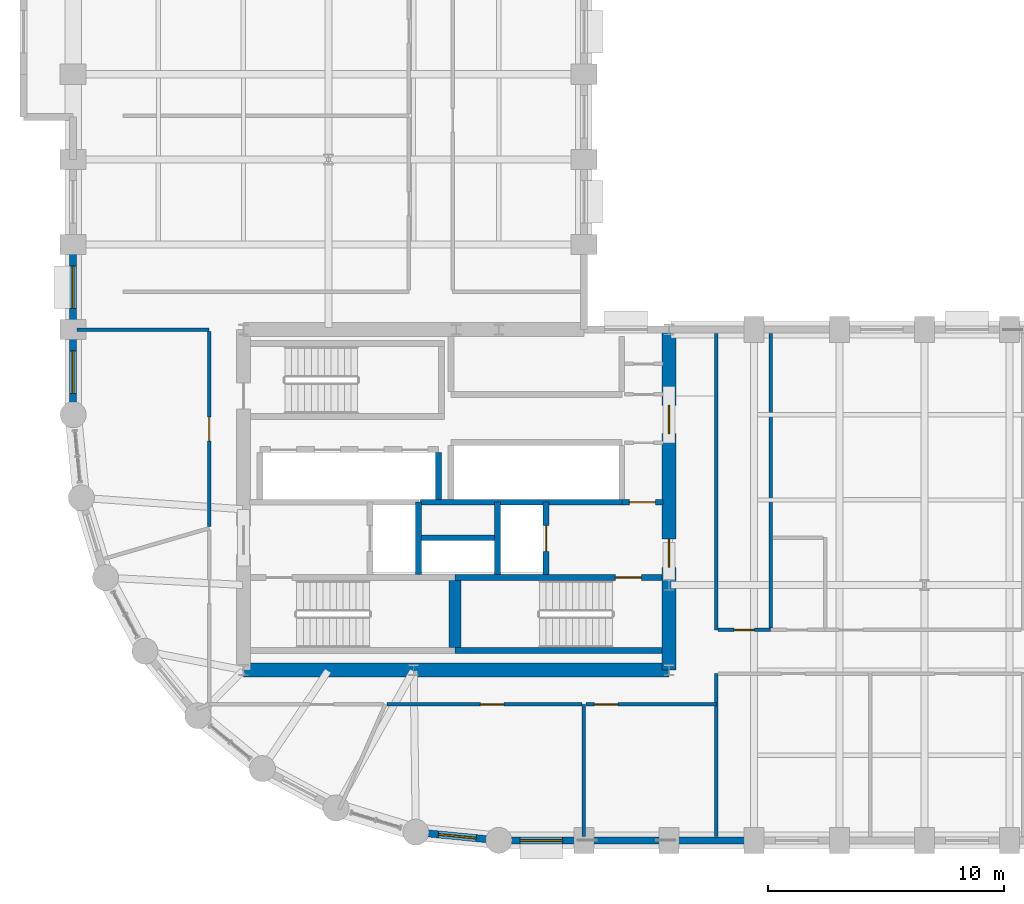
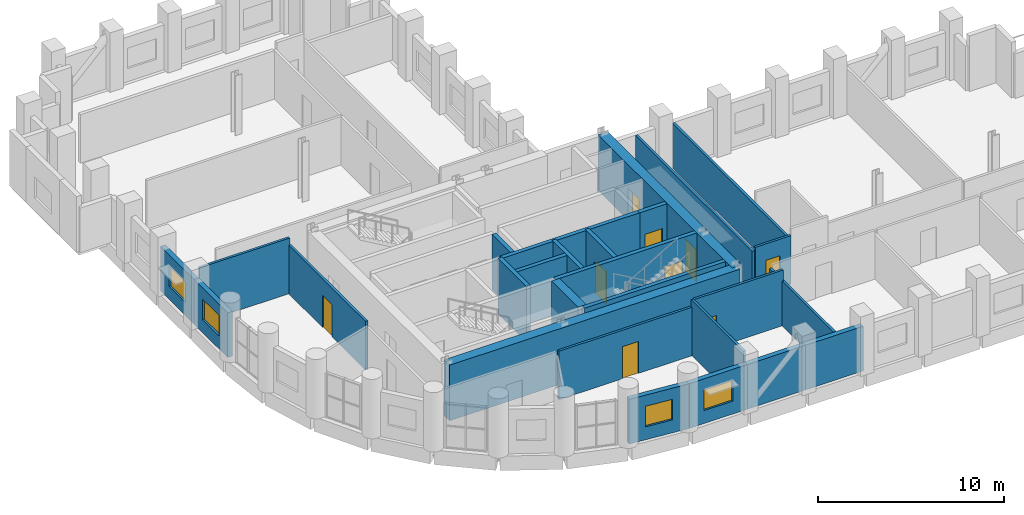
# One storey, part 8 of 13: 27 walls, 9 doors, 4 windows, 13 openings.
"""IFC4 building model written with IfcOpenShell, lengths in metres."""

from ifc_helpers import new_model, si_unit, direction, frame, frame_2d, origin, place, context, subcontext, project, spatial, rectangle, extrude, material, layer, layer_set, type_object, element, fill, save


model = new_model("IFC4")

# Units and contexts
model_context = context("Model", 3, precision=1e-05, world=origin(), true_north=direction((0.0, 1.0)))
body_context = subcontext(model_context, "Body", "Model", "MODEL_VIEW")
ifc_project = project(units=[si_unit("LENGTHUNIT", "METRE"), si_unit("AREAUNIT", "SQUARE_METRE"), si_unit("VOLUMEUNIT", "CUBIC_METRE"), si_unit("PLANEANGLEUNIT", "RADIAN"), si_unit("MASSUNIT", "GRAM", prefix="KILO")], contexts=[model_context])

# Site, building, storey
site_placement = place(None, origin())
site = spatial("IfcSite", under=ifc_project, at=site_placement, CompositionType="ELEMENT")
building_placement = place(site_placement, origin())
building = spatial("IfcBuilding", under=site, at=building_placement, Name="Solnavia Interchange Tower", CompositionType="ELEMENT")
storey_placement = place(building_placement, frame((0.0, 0.0, 87.89990234375)))
storey = spatial("IfcBuildingStorey", under=building, at=storey_placement, Name="L21", CompositionType="ELEMENT", Elevation=87.89990234375)

# Wall, opening, window
ifc_material_1 = material(Name="Concrete C40/50", Category="concrete")
ifc_layer_1 = layer(ifc_material_1, 0.300048828125)
ifc_layer_set_1 = layer_set([ifc_layer_1], Name="Concrete C40/50")
wall_type_1 = type_object("IfcWallType", Name="Wall-ExtSpandrel-300", PredefinedType="STANDARD", material=ifc_layer_set_1)
wall_1_placement = place(storey_placement, frame((28.800048828125, 3.60009765625, 0.0), z_axis=(0.0, 0.0, 1.0), x_axis=(-1.0, 0.0, 0.0)))
wall_1 = element("IfcWall", 1, at=wall_1_placement, inside=storey, type_object=wall_type_1, Name="EXW-L21-01 Exterior precast spandrel wall", PredefinedType="STANDARD", context=body_context, shape_type="SweptSolid", body=[
    extrude(rectangle(XDim=3.60009765625, YDim=0.300048828125, at=frame_2d((1.800048828125, 0.0))), origin(), (0.0, 0.0, 1.0), 2.93017578125),
])
opening_1_placement = place(wall_1_placement, frame((0.89990234375, 0.0, 0.85009765625)))
opening_1 = element("IfcOpeningElement", 2, at=opening_1_placement, cuts=wall_1, Name="Opening WIN-02", PredefinedType="OPENING", context=body_context, shape_type="SweptSolid", body=[
    extrude(rectangle(XDim=1.800048828125, YDim=1.35009765625, at=frame_2d((0.89990234375, 0.675048828125))), frame((0.0, 0.16015625, 0.0), z_axis=(0.0, -1.0, 0.0), x_axis=(1.0, 0.0, 0.0)), (0.0, 0.0, 1.0), 0.320068359375),
])
ifc_material_2 = material(Name="Thermal-Break Aluminium & Low-E Glass", Category="aluminium")
window_type_1 = type_object("IfcWindowType", Name="Window-Ribbon-1800x1350", PartitioningType="SINGLE_PANEL", PredefinedType="WINDOW", material=ifc_material_2)
window_1_placement = place(opening_1_placement, origin())
window_1 = element("IfcWindow", 3, at=window_1_placement, inside=storey, type_object=window_type_1, Name="WIN-L21-01 Facade ribbon window", OverallHeight=1.35009765625, OverallWidth=1.800048828125, PartitioningType="SINGLE_PANEL", PredefinedType="WINDOW", context=body_context, shape_type="SweptSolid", body=[
    extrude(rectangle(XDim=1.800048828125, YDim=1.35009765625, at=frame_2d((0.89990234375, 0.675048828125))), frame((0.0, 0.030029296875, 0.0), z_axis=(0.0, -1.0, 0.0), x_axis=(1.0, 0.0, 0.0)), (0.0, 0.0, 1.0), 0.06005859375),
])
fill(opening_1, window_1)

# Walls
wall_2_placement = place(storey_placement, frame((32.39990234375, 3.60009765625, 0.0), z_axis=(0.0, 0.0, 1.0), x_axis=(-1.0, 0.0, 0.0)))
element("IfcWall", 4, at=wall_2_placement, inside=storey, type_object=wall_type_1, Name="EXW-L21-02 Exterior precast spandrel wall", PredefinedType="STANDARD", context=body_context, shape_type="SweptSolid", body=[
    extrude(rectangle(XDim=3.599853515625, YDim=0.300048828125, at=frame_2d((1.7998046875, 0.0))), origin(), (0.0, 0.0, 1.0), 2.93017578125),
])
wall_3_placement = place(storey_placement, frame((36.0, 3.60009765625, 0.0), z_axis=(0.0, 0.0, 1.0), x_axis=(-1.0, 0.0, 0.0)))
element("IfcWall", 5, at=wall_3_placement, inside=storey, type_object=wall_type_1, Name="EXW-L21-03 Exterior precast spandrel wall", PredefinedType="STANDARD", context=body_context, shape_type="SweptSolid", body=[
    extrude(rectangle(XDim=3.60009765625, YDim=0.300048828125, at=frame_2d((1.800048828125, 0.0))), origin(), (0.0, 0.0, 1.0), 2.93017578125),
])

# Wall, opening, window
wall_4_placement = place(storey_placement, frame((7.199951171875, 25.199951171875, 0.0), z_axis=(0.0, 0.0, 1.0), x_axis=(0.0, 1.0, 0.0)))
wall_4 = element("IfcWall", 6, at=wall_4_placement, inside=storey, type_object=wall_type_1, Name="EXW-L21-53 Exterior precast spandrel wall", PredefinedType="STANDARD", context=body_context, shape_type="SweptSolid", body=[
    extrude(rectangle(XDim=3.60009765625, YDim=0.300048828125, at=frame_2d((1.800048828125, 0.0))), origin(), (0.0, 0.0, 1.0), 2.93017578125),
])
opening_2_placement = place(wall_4_placement, frame((0.89990234375, 0.0, 0.85009765625)))
opening_2 = element("IfcOpeningElement", 7, at=opening_2_placement, cuts=wall_4, Name="Opening WIN-02", PredefinedType="OPENING", context=body_context, shape_type="SweptSolid", body=[
    extrude(rectangle(XDim=1.800048828125, YDim=1.35009765625, at=frame_2d((0.89990234375, 0.675048828125))), frame((0.0, 0.16015625, 0.0), z_axis=(0.0, -1.0, 0.0), x_axis=(1.0, 0.0, 0.0)), (0.0, 0.0, 1.0), 0.320068359375),
])
window_2_placement = place(opening_2_placement, origin())
window_2 = element("IfcWindow", 8, at=window_2_placement, inside=storey, type_object=window_type_1, Name="WIN-L21-53 Facade ribbon window", OverallHeight=1.35009765625, OverallWidth=1.800048828125, PartitioningType="SINGLE_PANEL", PredefinedType="WINDOW", context=body_context, shape_type="SweptSolid", body=[
    extrude(rectangle(XDim=1.800048828125, YDim=1.35009765625, at=frame_2d((0.89990234375, 0.675048828125))), frame((0.0, 0.030029296875, 0.0), z_axis=(0.0, -1.0, 0.0), x_axis=(1.0, 0.0, 0.0)), (0.0, 0.0, 1.0), 0.06005859375),
])
fill(opening_2, window_2)

wall_5_placement = place(storey_placement, frame((7.199951171875, 21.60009765625, 0.0), z_axis=(0.0, 0.0, 1.0), x_axis=(0.0, 1.0, 0.0)))
wall_5 = element("IfcWall", 9, at=wall_5_placement, inside=storey, type_object=wall_type_1, Name="EXW-L21-54 Exterior precast spandrel wall", PredefinedType="STANDARD", context=body_context, shape_type="SweptSolid", body=[
    extrude(rectangle(XDim=3.599853515625, YDim=0.300048828125, at=frame_2d((1.7998046875, 0.0))), origin(), (0.0, 0.0, 1.0), 2.93017578125),
])
opening_3_placement = place(wall_5_placement, frame((0.89990234375, 0.0, 0.85009765625)))
opening_3 = element("IfcOpeningElement", 10, at=opening_3_placement, cuts=wall_5, Name="Opening WIN-02", PredefinedType="OPENING", context=body_context, shape_type="SweptSolid", body=[
    extrude(rectangle(XDim=1.800048828125, YDim=1.35009765625, at=frame_2d((0.89990234375, 0.675048828125))), frame((0.0, 0.16015625, 0.0), z_axis=(0.0, -1.0, 0.0), x_axis=(1.0, 0.0, 0.0)), (0.0, 0.0, 1.0), 0.320068359375),
])
window_3_placement = place(opening_3_placement, origin())
window_3 = element("IfcWindow", 11, at=window_3_placement, inside=storey, type_object=window_type_1, Name="WIN-L21-54 Facade ribbon window", OverallHeight=1.35009765625, OverallWidth=1.800048828125, PartitioningType="SINGLE_PANEL", PredefinedType="WINDOW", context=body_context, shape_type="SweptSolid", body=[
    extrude(rectangle(XDim=1.800048828125, YDim=1.35009765625, at=frame_2d((0.89990234375, 0.675048828125))), frame((0.0, 0.030029296875, 0.0), z_axis=(0.0, -1.0, 0.0), x_axis=(1.0, 0.0, 0.0)), (0.0, 0.0, 1.0), 0.06005859375),
])
fill(opening_3, window_3)

wall_6_placement = place(storey_placement, frame((25.199951171875, 3.60009765625, 0.0), z_axis=(0.0, 0.0, 1.0), x_axis=(-0.995183369056, 0.098030923459, 0.0)))
wall_6 = element("IfcWall", 12, at=wall_6_placement, inside=storey, type_object=wall_type_1, Name="EXW-L21-62 Exterior precast spandrel wall", PredefinedType="STANDARD", context=body_context, shape_type="SweptSolid", body=[
    extrude(rectangle(XDim=3.529052734375, YDim=0.300048828125, at=frame_2d((1.7646484375, 0.0))), origin(), (0.0, 0.0, 1.0), 2.93017578125),
])
opening_4_placement = place(wall_6_placement, frame((0.965087890625, 0.0, 0.85009765625)))
opening_4 = element("IfcOpeningElement", 13, at=opening_4_placement, cuts=wall_6, Name="Opening WIN-04", PredefinedType="OPENING", context=body_context, shape_type="SweptSolid", body=[
    extrude(rectangle(XDim=1.60009765625, YDim=1.35009765625, at=frame_2d((0.800048828125, 0.675048828125))), frame((0.0, 0.16015625, 0.0), z_axis=(0.0, -1.0, 0.0), x_axis=(1.0, 0.0, 0.0)), (0.0, 0.0, 1.0), 0.320068359375),
])
window_type_2 = type_object("IfcWindowType", Name="Window-Drum-1600x1350", PartitioningType="SINGLE_PANEL", PredefinedType="WINDOW", material=ifc_material_2)
window_4_placement = place(opening_4_placement, origin())
window_4 = element("IfcWindow", 14, at=window_4_placement, inside=storey, type_object=window_type_2, Name="WIN-L21-62 Facade ribbon window", OverallHeight=1.35009765625, OverallWidth=1.60009765625, PartitioningType="SINGLE_PANEL", PredefinedType="WINDOW", context=body_context, shape_type="SweptSolid", body=[
    extrude(rectangle(XDim=1.60009765625, YDim=1.35009765625, at=frame_2d((0.800048828125, 0.675048828125))), frame((0.0, 0.030029296875, 0.0), z_axis=(0.0, -1.0, 0.0), x_axis=(1.0, 0.0, 0.0)), (0.0, 0.0, 1.0), 0.06005859375),
])
fill(opening_4, window_4)

# Walls
ifc_material_3 = material(Name="Gypsum Plasterboard & Steel Stud", Category="steel")
ifc_layer_2 = layer(ifc_material_3, 0.14990234375)
ifc_layer_set_2 = layer_set([ifc_layer_2], Name="Gypsum Plasterboard & Steel Stud")
wall_type_2 = type_object("IfcWallType", Name="Wall-Partition-150", PredefinedType="PARTITIONING", material=ifc_layer_set_2)
wall_7_placement = place(storey_placement, frame((7.35400390625, 25.199951171875, 0.0), z_axis=(0.0, 0.0, 1.0), x_axis=(1.0, 0.0, 0.0)))
element("IfcWall", 15, at=wall_7_placement, inside=storey, type_object=wall_type_2, Name="PTW-L21-07 Interior partition wall", PredefinedType="PARTITIONING", context=body_context, shape_type="SweptSolid", body=[
    extrude(rectangle(XDim=5.595947265625, YDim=0.14990234375, at=frame_2d((2.7978515625, 0.0))), origin(), (0.0, 0.0, 1.0), 3.635009765625),
])
wall_8_placement = place(storey_placement, frame((28.800048828125, 9.35009765625, 0.0), z_axis=(0.0, 0.0, 1.0), x_axis=(0.0, -1.0, 0.0)))
element("IfcWall", 16, at=wall_8_placement, inside=storey, type_object=wall_type_2, Name="PTW-L21-08 Interior partition wall", PredefinedType="PARTITIONING", context=body_context, shape_type="SweptSolid", body=[
    extrude(rectangle(XDim=5.59619140625, YDim=0.14990234375, at=frame_2d((2.798095703125, 0.0))), origin(), (0.0, 0.0, 1.0), 3.635009765625),
])

# Wall, opening, door
wall_9_placement = place(storey_placement, frame((12.949951171875, 16.87890625, 0.0), z_axis=(0.0, 0.0, 1.0), x_axis=(0.0, 1.0, 0.0)))
wall_9 = element("IfcWall", 17, at=wall_9_placement, inside=storey, type_object=wall_type_2, Name="PTW-L21-12 Interior partition wall", PredefinedType="PARTITIONING", context=body_context, shape_type="SweptSolid", body=[
    extrude(rectangle(XDim=8.2421875, YDim=0.14990234375, at=frame_2d((4.12109375, 0.0))), origin(), (0.0, 0.0, 1.0), 3.190185546875),
])
opening_5_placement = place(wall_9_placement, frame((3.62109375, 0.0, 0.0)))
opening_5 = element("IfcOpeningElement", 18, at=opening_5_placement, cuts=wall_9, Name="Opening DR-07", PredefinedType="OPENING", context=body_context, shape_type="SweptSolid", body=[
    extrude(rectangle(XDim=1.0, YDim=2.10009765625, at=frame_2d((0.5, 1.050048828125))), frame((0.0, 0.0849609375, 0.0), z_axis=(0.0, -1.0, 0.0), x_axis=(1.0, 0.0, 0.0)), (0.0, 0.0, 1.0), 0.169921875),
])
ifc_material_4 = material(Name="Timber & Acoustic Glazed Office Door", Category="wood")
door_type_1 = type_object("IfcDoorType", Name="Door-Office-1000x2100", OperationType="SINGLE_SWING_RIGHT", PredefinedType="DOOR", material=ifc_material_4)
door_1_placement = place(opening_5_placement, origin())
door_1 = element("IfcDoor", 19, at=door_1_placement, inside=storey, type_object=door_type_1, Name="DR-L21-03 Interior room door", OperationType="SINGLE_SWING_LEFT", OverallHeight=2.10009765625, OverallWidth=1.0, PredefinedType="DOOR", context=body_context, shape_type="SweptSolid", body=[
    extrude(rectangle(XDim=1.0, YDim=2.10009765625, at=frame_2d((0.5, 1.050048828125))), frame((0.0, 0.02490234375, 0.0), z_axis=(0.0, -1.0, 0.0), x_axis=(1.0, 0.0, 0.0)), (0.0, 0.0, 1.0), 0.050048828125),
])
fill(opening_5, door_1)

wall_10_placement = place(storey_placement, frame((20.47900390625, 9.35009765625, 0.0), z_axis=(0.0, 0.0, 1.0), x_axis=(1.0, 0.0, 0.0)))
wall_10 = element("IfcWall", 20, at=wall_10_placement, inside=storey, type_object=wall_type_2, Name="PTW-L21-15 Interior partition wall", PredefinedType="PARTITIONING", context=body_context, shape_type="SweptSolid", body=[
    extrude(rectangle(XDim=8.241943359375, YDim=0.14990234375, at=frame_2d((4.12109375, 0.0))), origin(), (0.0, 0.0, 1.0), 3.18017578125),
])
opening_6_placement = place(wall_10_placement, frame((3.93896484375, 0.0, 0.0)))
opening_6 = element("IfcOpeningElement", 21, at=opening_6_placement, cuts=wall_10, Name="Opening DR-07", PredefinedType="OPENING", context=body_context, shape_type="SweptSolid", body=[
    extrude(rectangle(XDim=1.0, YDim=2.10009765625, at=frame_2d((0.5, 1.050048828125))), frame((0.0, 0.0849609375, 0.0), z_axis=(0.0, -1.0, 0.0), x_axis=(1.0, 0.0, 0.0)), (0.0, 0.0, 1.0), 0.169921875),
])
door_2_placement = place(opening_6_placement, origin())
door_2 = element("IfcDoor", 22, at=door_2_placement, inside=storey, type_object=door_type_1, Name="DR-L21-06 Interior room door", OperationType="SINGLE_SWING_RIGHT", OverallHeight=2.10009765625, OverallWidth=1.0, PredefinedType="DOOR", context=body_context, shape_type="SweptSolid", body=[
    extrude(rectangle(XDim=1.0, YDim=2.10009765625, at=frame_2d((0.5, 1.050048828125))), frame((0.0, 0.02490234375, 0.0), z_axis=(0.0, -1.0, 0.0), x_axis=(1.0, 0.0, 0.0)), (0.0, 0.0, 1.0), 0.050048828125),
])
fill(opening_6, door_2)

wall_11_placement = place(storey_placement, frame((28.87890625, 9.35009765625, 0.0), z_axis=(0.0, 0.0, 1.0), x_axis=(1.0, 0.0, 0.0)))
wall_11 = element("IfcWall", 23, at=wall_11_placement, inside=storey, type_object=wall_type_2, Name="PTW-L21-16 Interior partition wall", PredefinedType="PARTITIONING", context=body_context, shape_type="SweptSolid", body=[
    extrude(rectangle(XDim=5.52099609375, YDim=0.14990234375, at=frame_2d((2.760498046875, 0.0))), origin(), (0.0, 0.0, 1.0), 3.635009765625),
])
opening_7_placement = place(wall_11_placement, frame((0.360107421875, 0.0, 0.0)))
opening_7 = element("IfcOpeningElement", 24, at=opening_7_placement, cuts=wall_11, Name="Opening DR-07", PredefinedType="OPENING", context=body_context, shape_type="SweptSolid", body=[
    extrude(rectangle(XDim=1.0, YDim=2.10009765625, at=frame_2d((0.5, 1.050048828125))), frame((0.0, 0.0849609375, 0.0), z_axis=(0.0, -1.0, 0.0), x_axis=(1.0, 0.0, 0.0)), (0.0, 0.0, 1.0), 0.169921875),
])
door_3_placement = place(opening_7_placement, origin())
door_3 = element("IfcDoor", 25, at=door_3_placement, inside=storey, type_object=door_type_1, Name="DR-L21-07 Interior room door", OperationType="SINGLE_SWING_LEFT", OverallHeight=2.10009765625, OverallWidth=1.0, PredefinedType="DOOR", context=body_context, shape_type="SweptSolid", body=[
    extrude(rectangle(XDim=1.0, YDim=2.10009765625, at=frame_2d((0.5, 1.050048828125))), frame((0.0, 0.02490234375, 0.0), z_axis=(0.0, -1.0, 0.0), x_axis=(1.0, 0.0, 0.0)), (0.0, 0.0, 1.0), 0.050048828125),
])
fill(opening_7, door_3)

# Walls
wall_12_placement = place(storey_placement, frame((34.39990234375, 3.75390625, 0.0), z_axis=(0.0, 0.0, 1.0), x_axis=(0.0, 1.0, 0.0)))
element("IfcWall", 26, at=wall_12_placement, inside=storey, type_object=wall_type_2, Name="PTW-L21-17 Interior partition wall", PredefinedType="PARTITIONING", context=body_context, shape_type="SweptSolid", body=[
    extrude(rectangle(XDim=6.89599609375, YDim=0.14990234375, at=frame_2d((3.447998046875, 0.0))), origin(), (0.0, 0.0, 1.0), 2.93017578125),
])
ifc_layer_3 = layer(ifc_material_1, 0.25)
ifc_layer_set_3 = layer_set([ifc_layer_3], Name="Concrete C40/50")
wall_type_3 = type_object("IfcWallType", Name="Wall-ShaftCore-250", PredefinedType="SHEAR", material=ifc_layer_set_3)
wall_13_placement = place(storey_placement, frame((23.35009765625, 11.625, 0.0), z_axis=(0.0, 0.0, 1.0), x_axis=(1.0, 0.0, 0.0)))
element("IfcWall", 27, at=wall_13_placement, inside=storey, type_object=wall_type_3, Name="SHW-L21-ST2S Core shear wall", PredefinedType="SHEAR", context=body_context, shape_type="SweptSolid", body=[
    extrude(rectangle(XDim=8.75, YDim=0.25, at=frame_2d((4.375, 0.0))), origin(), (0.0, 0.0, 1.0), 3.650146484375),
])

# Wall, opening, door
wall_14_placement = place(storey_placement, frame((23.35009765625, 14.715087890625, 0.0), z_axis=(0.0, 0.0, 1.0), x_axis=(1.0, 0.0, 0.0)))
wall_14 = element("IfcWall", 28, at=wall_14_placement, inside=storey, type_object=wall_type_3, Name="SHW-L21-ST2N Core shear wall", PredefinedType="SHEAR", context=body_context, shape_type="SweptSolid", body=[
    extrude(rectangle(XDim=8.75, YDim=0.25, at=frame_2d((4.375, 0.0))), origin(), (0.0, 0.0, 1.0), 3.650146484375),
])
opening_8_placement = place(wall_14_placement, frame((6.77490234375, 0.0, 0.0)))
opening_8 = element("IfcOpeningElement", 29, at=opening_8_placement, cuts=wall_14, Name="Opening DR-01", PredefinedType="OPENING", context=body_context, shape_type="SweptSolid", body=[
    extrude(rectangle(XDim=1.10009765625, YDim=2.10009765625, at=frame_2d((0.550048828125, 1.050048828125))), frame((0.0, 0.135009765625, 0.0), z_axis=(0.0, -1.0, 0.0), x_axis=(1.0, 0.0, 0.0)), (0.0, 0.0, 1.0), 0.27001953125),
])
ifc_material_5 = material(Name="Steel Fire-Rated Leaf & Frame", Category="steel")
door_type_2 = type_object("IfcDoorType", Name="Door-StairFire-1100x2100", OperationType="SINGLE_SWING_LEFT", PredefinedType="DOOR", material=ifc_material_5)
door_4_placement = place(opening_8_placement, origin())
door_4 = element("IfcDoor", 30, at=door_4_placement, inside=storey, type_object=door_type_2, Name="DR-L21-ST2 Core fire door", OperationType="SINGLE_SWING_LEFT", OverallHeight=2.10009765625, OverallWidth=1.10009765625, PredefinedType="DOOR", context=body_context, shape_type="SweptSolid", body=[
    extrude(rectangle(XDim=1.10009765625, YDim=2.10009765625, at=frame_2d((0.550048828125, 1.050048828125))), frame((0.0, 0.02490234375, 0.0), z_axis=(0.0, -1.0, 0.0), x_axis=(1.0, 0.0, 0.0)), (0.0, 0.0, 1.0), 0.050048828125),
])
fill(opening_8, door_4)

# Walls
ifc_layer_4 = layer(ifc_material_1, 0.25)
ifc_layer_set_4 = layer_set([ifc_layer_4], Name="Concrete C40/50")
wall_type_4 = type_object("IfcWallType", Name="Wall-ShaftPart-250", PredefinedType="PARTITIONING", material=ifc_layer_set_4)
wall_15_placement = place(storey_placement, frame((21.800048828125, 14.840087890625, 0.0), z_axis=(0.0, 0.0, 1.0), x_axis=(0.0, 1.0, 0.0)))
element("IfcWall", 31, at=wall_15_placement, inside=storey, type_object=wall_type_4, Name="SHW-L21-FFL1-E Core shaft wall", PredefinedType="PARTITIONING", context=body_context, shape_type="SweptSolid", body=[
    extrude(rectangle(XDim=3.059814453125, YDim=0.25, at=frame_2d((1.52978515625, 0.0))), origin(), (0.0, 0.0, 1.0), 3.635009765625),
])
wall_16_placement = place(storey_placement, frame((21.8798828125, 17.89990234375, 0.0), z_axis=(0.0, 0.0, 1.0), x_axis=(1.0, 0.0, 0.0)))
element("IfcWall", 32, at=wall_16_placement, inside=storey, type_object=wall_type_4, Name="SHW-L21-FFLE-N1 Core shaft wall", PredefinedType="PARTITIONING", context=body_context, shape_type="SweptSolid", body=[
    extrude(rectangle(XDim=8.52001953125, YDim=0.25, at=frame_2d((4.260009765625, 0.0))), origin(), (0.0, 0.0, 1.0), 3.635009765625),
])

# Wall, opening, door
wall_17_placement = place(storey_placement, frame((30.39990234375, 17.89990234375, 0.0), z_axis=(0.0, 0.0, 1.0), x_axis=(1.0, 0.0, 0.0)))
wall_17 = element("IfcWall", 33, at=wall_17_placement, inside=storey, type_object=wall_type_4, Name="SHW-L21-FFLE-N2 Core shaft wall", PredefinedType="PARTITIONING", context=body_context, shape_type="SweptSolid", body=[
    extrude(rectangle(XDim=1.75, YDim=0.25, at=frame_2d((0.875, 0.0))), origin(), (0.0, 0.0, 1.0), 3.635009765625),
])
opening_9_placement = place(wall_17_placement, frame((0.320068359375, 0.0, 0.0)))
opening_9 = element("IfcOpeningElement", 34, at=opening_9_placement, cuts=wall_17, Name="Opening DR-01", PredefinedType="OPENING", context=body_context, shape_type="SweptSolid", body=[
    extrude(rectangle(XDim=1.10009765625, YDim=2.10009765625, at=frame_2d((0.550048828125, 1.050048828125))), frame((0.0, 0.135009765625, 0.0), z_axis=(0.0, -1.0, 0.0), x_axis=(1.0, 0.0, 0.0)), (0.0, 0.0, 1.0), 0.27001953125),
])
door_5_placement = place(opening_9_placement, origin())
door_5 = element("IfcDoor", 35, at=door_5_placement, inside=storey, type_object=door_type_2, Name="DR-L21-LLC Core fire door", OperationType="SINGLE_SWING_LEFT", OverallHeight=2.10009765625, OverallWidth=1.10009765625, PredefinedType="DOOR", context=body_context, shape_type="SweptSolid", body=[
    extrude(rectangle(XDim=1.10009765625, YDim=2.10009765625, at=frame_2d((0.550048828125, 1.050048828125))), frame((0.0, 0.02490234375, 0.0), z_axis=(0.0, -1.0, 0.0), x_axis=(1.0, 0.0, 0.0)), (0.0, 0.0, 1.0), 0.050048828125),
])
fill(opening_9, door_5)

# Wall
wall_18_placement = place(storey_placement, frame((25.14990234375, 14.840087890625, 0.0), z_axis=(0.0, 0.0, 1.0), x_axis=(0.0, 1.0, 0.0)))
element("IfcWall", 36, at=wall_18_placement, inside=storey, type_object=wall_type_4, Name="SHW-L21-FFL2-W Core shaft wall", PredefinedType="PARTITIONING", context=body_context, shape_type="SweptSolid", body=[
    extrude(rectangle(XDim=3.059814453125, YDim=0.25, at=frame_2d((1.52978515625, 0.0))), origin(), (0.0, 0.0, 1.0), 3.635009765625),
])

# Wall, opening, door
wall_19_placement = place(storey_placement, frame((27.199951171875, 14.840087890625, 0.0), z_axis=(0.0, 0.0, 1.0), x_axis=(0.0, 1.0, 0.0)))
wall_19 = element("IfcWall", 37, at=wall_19_placement, inside=storey, type_object=wall_type_4, Name="SHW-L21-FFL2-E Core shaft wall", PredefinedType="PARTITIONING", context=body_context, shape_type="SweptSolid", body=[
    extrude(rectangle(XDim=3.059814453125, YDim=0.25, at=frame_2d((1.52978515625, 0.0))), origin(), (0.0, 0.0, 1.0), 3.635009765625),
])
opening_10_placement = place(wall_19_placement, frame((0.97998046875, 0.0, 0.0)))
opening_10 = element("IfcOpeningElement", 38, at=opening_10_placement, cuts=wall_19, Name="Opening LD-01", PredefinedType="OPENING", context=body_context, shape_type="SweptSolid", body=[
    extrude(rectangle(XDim=1.10009765625, YDim=2.10009765625, at=frame_2d((0.550048828125, 1.050048828125))), frame((0.0, 0.135009765625, 0.0), z_axis=(0.0, -1.0, 0.0), x_axis=(1.0, 0.0, 0.0)), (0.0, 0.0, 1.0), 0.27001953125),
])
ifc_material_6 = material(Name="Brushed Stainless Steel Sliding Door", Category="steel")
door_type_3 = type_object("IfcDoorType", Name="Door-LiftLanding-1100x2100", OperationType="SLIDING_TO_LEFT", PredefinedType="DOOR", material=ifc_material_6)
door_6_placement = place(opening_10_placement, origin())
door_6 = element("IfcDoor", 39, at=door_6_placement, inside=storey, type_object=door_type_3, Name="LD-L21-FFL2 Lift landing sliding door", OperationType="SLIDING_TO_LEFT", OverallHeight=2.10009765625, OverallWidth=1.10009765625, PredefinedType="DOOR", context=body_context, shape_type="SweptSolid", body=[
    extrude(rectangle(XDim=1.10009765625, YDim=2.10009765625, at=frame_2d((0.550048828125, 1.050048828125))), frame((0.0, 0.02490234375, 0.0), z_axis=(0.0, -1.0, 0.0), x_axis=(1.0, 0.0, 0.0)), (0.0, 0.0, 1.0), 0.050048828125),
])
fill(opening_10, door_6)

# Walls
wall_20_placement = place(storey_placement, frame((21.800048828125, 16.39990234375, 0.0), z_axis=(0.0, 0.0, 1.0), x_axis=(1.0, 0.0, 0.0)))
element("IfcWall", 40, at=wall_20_placement, inside=storey, type_object=wall_type_4, Name="SHW-L21-MEP-N Core shaft wall", PredefinedType="PARTITIONING", context=body_context, shape_type="SweptSolid", body=[
    extrude(rectangle(XDim=3.349853515625, YDim=0.25, at=frame_2d((1.6748046875, 0.0))), origin(), (0.0, 0.0, 1.0), 3.635009765625),
])
wall_21_placement = place(storey_placement, frame((22.64990234375, 18.02490234375, 0.0), z_axis=(0.0, 0.0, 1.0), x_axis=(0.0, 1.0, 0.0)))
element("IfcWall", 41, at=wall_21_placement, inside=storey, type_object=wall_type_4, Name="SHW-L21-B1E Core shaft wall", PredefinedType="PARTITIONING", context=body_context, shape_type="SweptSolid", body=[
    extrude(rectangle(XDim=1.97509765625, YDim=0.25, at=frame_2d((0.987548828125, 0.0))), origin(), (0.0, 0.0, 1.0), 3.635009765625),
])
ifc_material_7 = material(Name="Concrete C60/75", Category="concrete")
ifc_layer_5 = layer(ifc_material_7, 0.5)
ifc_layer_set_5 = layer_set([ifc_layer_5], Name="Concrete C60/75")
wall_type_5 = type_object("IfcWallType", Name="Wall-ShearCore-500", PredefinedType="SHEAR", material=ifc_layer_set_5)
wall_22_placement = place(storey_placement, frame((23.35009765625, 11.75, 0.0), z_axis=(0.0, 0.0, 1.0), x_axis=(0.0, 1.0, 0.0)))
element("IfcWall", 42, at=wall_22_placement, inside=storey, type_object=wall_type_5, Name="SHW-L21-ST12M Core shear wall", PredefinedType="SHEAR", context=body_context, shape_type="SweptSolid", body=[
    extrude(rectangle(XDim=2.840087890625, YDim=0.5, at=frame_2d((1.419921875, 0.0))), origin(), (0.0, 0.0, 1.0), 3.650146484375),
])
ifc_layer_6 = layer(ifc_material_7, 0.60009765625)
ifc_layer_set_6 = layer_set([ifc_layer_6], Name="Concrete C60/75")
wall_type_6 = type_object("IfcWallType", Name="Wall-ShearCore-600", PredefinedType="SHEAR", material=ifc_layer_set_6)
wall_23_placement = place(storey_placement, frame((14.39990234375, 10.800048828125, 0.0), z_axis=(0.0, 0.0, 1.0), x_axis=(1.0, 0.0, 0.0)))
element("IfcWall", 43, at=wall_23_placement, inside=storey, type_object=wall_type_6, Name="CRW-L21-S Core shear wall", PredefinedType="SHEAR", context=body_context, shape_type="SweptSolid", body=[
    extrude(rectangle(XDim=18.0, YDim=0.60009765625, at=frame_2d((9.0, 0.0))), origin(), (0.0, 0.0, 1.0), 3.650146484375),
])

# Wall, openings, doors
wall_24_placement = place(storey_placement, frame((32.39990234375, 10.800048828125, 0.0), z_axis=(0.0, 0.0, 1.0), x_axis=(0.0, 1.0, 0.0)))
wall_24 = element("IfcWall", 44, at=wall_24_placement, inside=storey, type_object=wall_type_6, Name="CRW-L21-E Core shear wall", PredefinedType="SHEAR", context=body_context, shape_type="SweptSolid", body=[
    extrude(rectangle(XDim=14.39990234375, YDim=0.60009765625, at=frame_2d((7.199951171875, 0.0))), origin(), (0.0, 0.0, 1.0), 3.650146484375),
])
opening_11_placement = place(wall_24_placement, frame((4.35009765625, 0.0, 0.0)))
opening_11 = element("IfcOpeningElement", 45, at=opening_11_placement, cuts=wall_24, Name="Opening DR-02", PredefinedType="OPENING", context=body_context, shape_type="SweptSolid", body=[
    extrude(rectangle(XDim=1.199951171875, YDim=2.10009765625, at=frame_2d((0.60009765625, 1.050048828125))), frame((0.0, 0.31005859375, 0.0), z_axis=(0.0, -1.0, 0.0), x_axis=(1.0, 0.0, 0.0)), (0.0, 0.0, 1.0), 0.6201171875),
])
opening_12_placement = place(wall_24_placement, frame((10.0, 0.0, 0.0)))
opening_12 = element("IfcOpeningElement", 46, at=opening_12_placement, cuts=wall_24, Name="Opening DR-02", PredefinedType="OPENING", context=body_context, shape_type="SweptSolid", body=[
    extrude(rectangle(XDim=1.199951171875, YDim=2.10009765625, at=frame_2d((0.60009765625, 1.050048828125))), frame((0.0, 0.31005859375, 0.0), z_axis=(0.0, -1.0, 0.0), x_axis=(1.0, 0.0, 0.0)), (0.0, 0.0, 1.0), 0.6201171875),
])
ifc_material_8 = material(Name="Steel Fire-Rated Vision-Panel Door", Category="steel")
door_type_4 = type_object("IfcDoorType", Name="Door-LobbyFire-1200x2100", OperationType="SINGLE_SWING_RIGHT", PredefinedType="DOOR", material=ifc_material_8)
door_7_placement = place(opening_11_placement, origin())
door_7 = element("IfcDoor", 47, at=door_7_placement, inside=storey, type_object=door_type_4, Name="DR-L21-FFL2E Core fire door", OperationType="SINGLE_SWING_LEFT", OverallHeight=2.10009765625, OverallWidth=1.199951171875, PredefinedType="DOOR", context=body_context, shape_type="SweptSolid", body=[
    extrude(rectangle(XDim=1.199951171875, YDim=2.10009765625, at=frame_2d((0.60009765625, 1.050048828125))), frame((0.0, 0.02490234375, 0.0), z_axis=(0.0, -1.0, 0.0), x_axis=(1.0, 0.0, 0.0)), (0.0, 0.0, 1.0), 0.050048828125),
])
fill(opening_11, door_7)
door_8_placement = place(opening_12_placement, origin())
door_8 = element("IfcDoor", 48, at=door_8_placement, inside=storey, type_object=door_type_4, Name="DR-L21-LLE Core fire door", OperationType="SINGLE_SWING_RIGHT", OverallHeight=2.10009765625, OverallWidth=1.199951171875, PredefinedType="DOOR", context=body_context, shape_type="SweptSolid", body=[
    extrude(rectangle(XDim=1.199951171875, YDim=2.10009765625, at=frame_2d((0.60009765625, 1.050048828125))), frame((0.0, 0.02490234375, 0.0), z_axis=(0.0, -1.0, 0.0), x_axis=(1.0, 0.0, 0.0)), (0.0, 0.0, 1.0), 0.050048828125),
])
fill(opening_12, door_8)

# Wall
ifc_material_9 = material(Name="Moisture-Resistant Gypsum & Steel Stud", Category="steel")
ifc_layer_7 = layer(ifc_material_9, 0.14990234375)
ifc_layer_set_7 = layer_set([ifc_layer_7], Name="Moisture-Resistant Gypsum & Steel Stud")
wall_type_7 = type_object("IfcWallType", Name="Wall-WetRoom-150", PredefinedType="PARTITIONING", material=ifc_layer_set_7)
wall_25_placement = place(storey_placement, frame((34.39990234375, 12.5, 0.0), z_axis=(0.0, 0.0, 1.0), x_axis=(0.0, 1.0, 0.0)))
element("IfcWall", 49, at=wall_25_placement, inside=storey, type_object=wall_type_7, Name="PTW-L21-01 Interior partition wall", PredefinedType="PARTITIONING", context=body_context, shape_type="SweptSolid", body=[
    extrude(rectangle(XDim=12.5458984375, YDim=0.14990234375, at=frame_2d((6.27294921875, 0.0))), origin(), (0.0, 0.0, 1.0), 2.93017578125),
])

# Wall, opening, door
wall_26_placement = place(storey_placement, frame((34.47900390625, 12.5, 0.0), z_axis=(0.0, 0.0, 1.0), x_axis=(1.0, 0.0, 0.0)))
wall_26 = element("IfcWall", 50, at=wall_26_placement, inside=storey, type_object=wall_type_7, Name="PTW-L21-02 Interior partition wall", PredefinedType="PARTITIONING", context=body_context, shape_type="SweptSolid", body=[
    extrude(rectangle(XDim=2.220947265625, YDim=0.14990234375, at=frame_2d((1.1103515625, 0.0))), origin(), (0.0, 0.0, 1.0), 3.18017578125),
])
opening_13_placement = place(wall_26_placement, frame((0.674072265625, 0.0, 0.0)))
opening_13 = element("IfcOpeningElement", 51, at=opening_13_placement, cuts=wall_26, Name="Opening DR-10", PredefinedType="OPENING", context=body_context, shape_type="SweptSolid", body=[
    extrude(rectangle(XDim=0.85009765625, YDim=2.10009765625, at=frame_2d((0.425048828125, 1.050048828125))), frame((0.0, 0.0849609375, 0.0), z_axis=(0.0, -1.0, 0.0), x_axis=(1.0, 0.0, 0.0)), (0.0, 0.0, 1.0), 0.169921875),
])
ifc_material_10 = material(Name="Moisture-Resistant Timber Door", Category="wood")
door_type_5 = type_object("IfcDoorType", Name="Door-Bathroom-850x2100", OperationType="SINGLE_SWING_RIGHT", PredefinedType="DOOR", material=ifc_material_10)
door_9_placement = place(opening_13_placement, origin())
door_9 = element("IfcDoor", 52, at=door_9_placement, inside=storey, type_object=door_type_5, Name="DR-L21-01 Interior room door", OperationType="SINGLE_SWING_LEFT", OverallHeight=2.10009765625, OverallWidth=0.85009765625, PredefinedType="DOOR", context=body_context, shape_type="SweptSolid", body=[
    extrude(rectangle(XDim=0.85009765625, YDim=2.10009765625, at=frame_2d((0.425048828125, 1.050048828125))), frame((0.0, 0.02490234375, 0.0), z_axis=(0.0, -1.0, 0.0), x_axis=(1.0, 0.0, 0.0)), (0.0, 0.0, 1.0), 0.050048828125),
])
fill(opening_13, door_9)

# Wall
wall_27_placement = place(storey_placement, frame((36.699951171875, 12.5791015625, 0.0), z_axis=(0.0, 0.0, 1.0), x_axis=(0.0, 1.0, 0.0)))
element("IfcWall", 53, at=wall_27_placement, inside=storey, type_object=wall_type_7, Name="PTW-L21-03 Interior partition wall", PredefinedType="PARTITIONING", context=body_context, shape_type="SweptSolid", body=[
    extrude(rectangle(XDim=12.466796875, YDim=0.14990234375, at=frame_2d((6.2333984375, 0.0))), origin(), (0.0, 0.0, 1.0), 2.93017578125),
])

save(model, "model.ifc")
